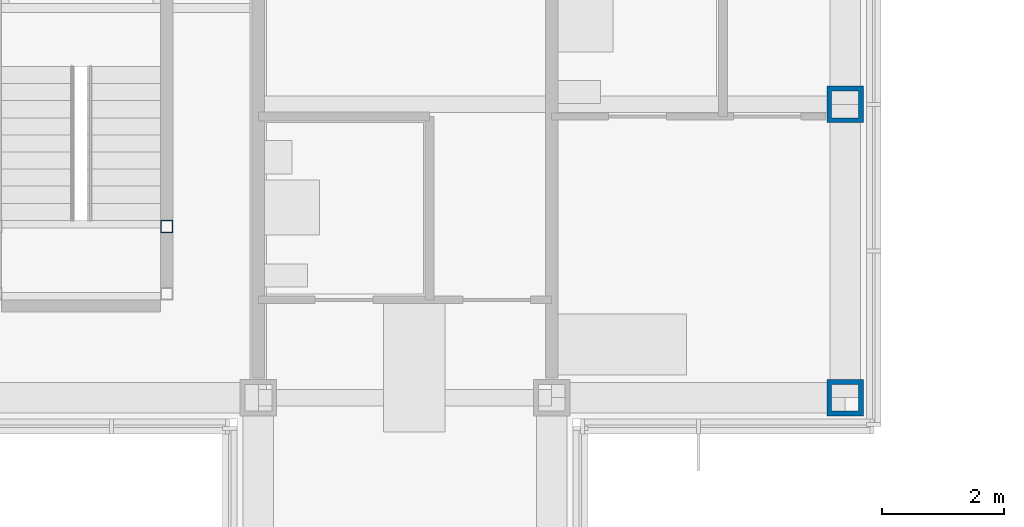
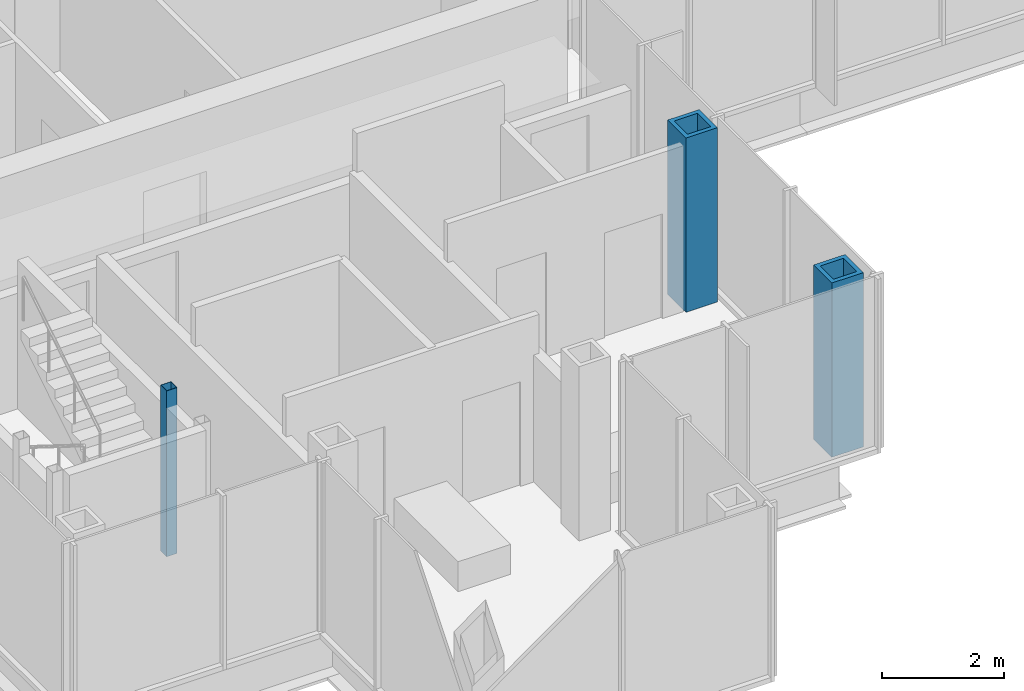
# One storey, part 2 of 17: 3 columns.
"""IFC4 building model written with IfcOpenShell, lengths in metres."""

from ifc_helpers import new_model, si_unit, direction, frame, origin, origin_2d, place, context, subcontext, project, spatial, hollow_rectangle, extrude, material, material_profile, profile_set, type_object, element, save


model = new_model("IFC4")

# Units and contexts
model_context = context("Model", 3, precision=1e-05, world=origin(), true_north=direction((0.0, 1.0)))
body_context = subcontext(model_context, "Body", "Model", "MODEL_VIEW")
ifc_project = project(units=[si_unit("LENGTHUNIT", "METRE"), si_unit("AREAUNIT", "SQUARE_METRE"), si_unit("VOLUMEUNIT", "CUBIC_METRE"), si_unit("PLANEANGLEUNIT", "RADIAN"), si_unit("MASSUNIT", "GRAM", prefix="KILO")], contexts=[model_context])

# Site, building, storey
site_placement = place(None, origin())
site = spatial("IfcSite", under=ifc_project, at=site_placement, CompositionType="ELEMENT")
building_placement = place(site_placement, origin())
building = spatial("IfcBuilding", under=site, at=building_placement, Name="Kvirike Care Tower", CompositionType="ELEMENT")
storey_placement = place(building_placement, frame((0.0, 0.0, 179.5)))
storey = spatial("IfcBuildingStorey", under=building, at=storey_placement, Name="L49", CompositionType="ELEMENT", Elevation=179.5)

# Columns
ifc_material_1 = material(Name="Steel S460", Category="steel")
ifc_material_profile_1 = material_profile(ifc_material_1, hollow_rectangle(XDim=0.60009765625, YDim=0.60009765625, WallThickness=0.080078125, at=origin_2d()), Name="BX 600x600x80")
ifc_profile_set_1 = profile_set([ifc_material_profile_1], Name="Steel S460")
column_type_1 = type_object("IfcColumnType", Name="COLUMN BX 600x600x80", PredefinedType="COLUMN", material=ifc_profile_set_1)
for number, where, z_axis, x_axis, name in (
    (1, (28.800048828125, 19.199951171875, 0.0), (0.0, 0.0, 1.0), (0.0, 1.0, 0.0), "Column E9 L49"),
    (2, (28.800048828125, 24.0, 0.0), (0.0, 0.0, 1.0), (1.0, 0.0, 0.0), "Column F9 L49"),
):
    element("IfcColumn", number, at=place(storey_placement, frame(where, z_axis=z_axis, x_axis=x_axis)), inside=storey, type_object=column_type_1, Name=name, PredefinedType="COLUMN", context=body_context, shape_type="SweptSolid", body=[
        extrude(hollow_rectangle(XDim=0.60009765625, YDim=0.60009765625, WallThickness=0.080078125, at=origin_2d()), origin(), (0.0, 0.0, 1.0), 3.5),
    ])
ifc_material_2 = material(Name="Steel S460", Category="steel")
ifc_material_profile_2 = material_profile(ifc_material_2, hollow_rectangle(XDim=0.199951171875, YDim=0.199951171875, WallThickness=0.008056640625, at=origin_2d()), Name="SHS 200x200x8")
ifc_profile_set_2 = profile_set([ifc_material_profile_2], Name="Steel S460")
column_type_2 = type_object("IfcColumnType", Name="STAIR POST SHS 200x200x8", PredefinedType="COLUMN", material=ifc_profile_set_2)
column_placement = place(storey_placement, frame((17.699951171875, 22.0, 0.0), z_axis=(0.0, 0.0, 1.0), x_axis=(1.0, 0.0, 0.0)))
element("IfcColumn", 3, at=column_placement, inside=storey, type_object=column_type_2, Name="Stair 5 post 4 L49", PredefinedType="COLUMN", context=body_context, shape_type="SweptSolid", body=[
    extrude(hollow_rectangle(XDim=0.199951171875, YDim=0.199951171875, WallThickness=0.008056640625, at=origin_2d()), origin(), (0.0, 0.0, 1.0), 3.330078125),
])

save(model, "model.ifc")
